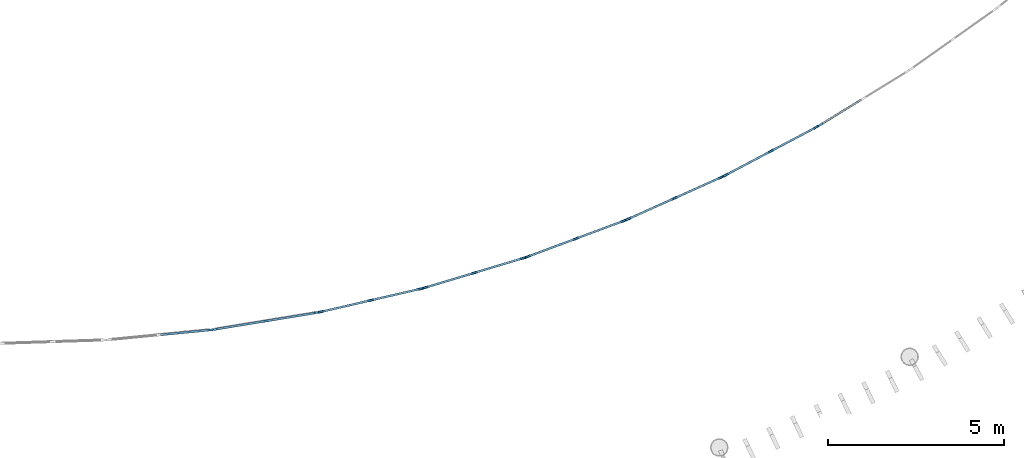
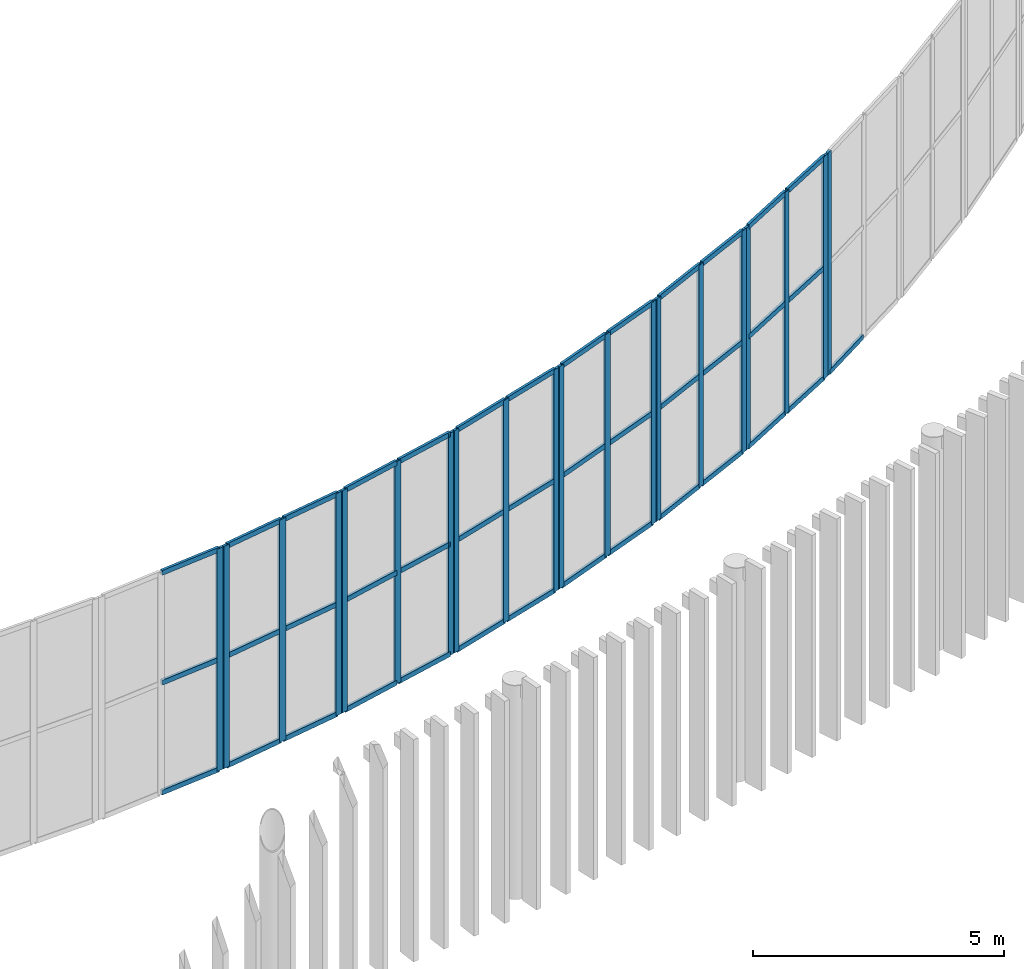
# One storey, part 39 of 170: 60 members, 8 elements without a shape of their own.
"""IFC4 building model written with IfcOpenShell, lengths in metres."""

from ifc_helpers import new_model, si_unit, direction, frame, origin, origin_2d, place, context, subcontext, project, spatial, rectangle, extrude, material, layer, layer_set, material_profile, profile_set, type_object, element, aggregate, save


model = new_model("IFC4")

# Units and contexts
model_context = context("Model", 3, precision=1e-05, world=origin(), true_north=direction((0.0, 1.0)))
body_context = subcontext(model_context, "Body", "Model", "MODEL_VIEW")
ifc_project = project(units=[si_unit("LENGTHUNIT", "METRE"), si_unit("AREAUNIT", "SQUARE_METRE"), si_unit("VOLUMEUNIT", "CUBIC_METRE"), si_unit("PLANEANGLEUNIT", "RADIAN"), si_unit("MASSUNIT", "GRAM", prefix="KILO")], contexts=[model_context])

# Site, building, storey
site_placement = place(None, origin())
site = spatial("IfcSite", under=ifc_project, at=site_placement, CompositionType="ELEMENT")
building_placement = place(site_placement, origin())
building = spatial("IfcBuilding", under=site, at=building_placement, Name="Ravi Spectrum Wholesale Market", CompositionType="ELEMENT")
storey_placement = place(building_placement, frame((0.0, 0.0, 5.39990234375)))
storey = spatial("IfcBuildingStorey", under=building, at=storey_placement, Name="L01", CompositionType="ELEMENT", Elevation=5.39990234375)

# Curtain wall, member
ifc_material_1 = material(Name="Aluminium 6063-T6", Category="aluminium")
ifc_layer = layer(ifc_material_1, 0.14990234375)
ifc_layer_set = layer_set([ifc_layer], Name="Aluminium 6063-T6")
curtain_wall_type = type_object("IfcCurtainWallType", Name="Curtain wall 150", PredefinedType="NOTDEFINED", material=ifc_layer_set)
curtain_wall_1_placement = place(storey_placement, origin())
curtain_wall_1 = element("IfcCurtainWall", 1, at=curtain_wall_1_placement, inside=storey, type_object=curtain_wall_type, Name="H1-CW-L01-042", PredefinedType="NOTDEFINED")
ifc_material_2 = material(Name="Aluminium 6063-T6", Category="aluminium")
ifc_material_profile_1 = material_profile(ifc_material_2, rectangle(XDim=0.06005859375, YDim=0.159912109375, at=origin_2d()))
ifc_profile_set_1 = profile_set([ifc_material_profile_1], Name="Aluminium 6063-T6")
member_type_1 = type_object("IfcMemberType", Name="Mullion 60 x 160", PredefinedType="MULLION", material=ifc_profile_set_1)
member_1_placement = place(storey_placement, frame((76.010498046875, 19.664794921875, 0.0), z_axis=(0.0, 0.0, 1.0), x_axis=(-0.097144203758, 0.995270316887, 0.0)))
member_1 = element("IfcMember", 2, at=member_1_placement, type_object=member_type_1, Name="H1-CW-L01-042 mullion 3", PredefinedType="MULLION", context=body_context, shape_type="SweptSolid", body=[
    extrude(rectangle(XDim=0.06005859375, YDim=0.159912109375, at=origin_2d()), origin(), (0.0, 0.0, 1.0), 5.400146484375),
])

# Curtain wall, members
curtain_wall_2_placement = place(storey_placement, origin())
curtain_wall_2 = element("IfcCurtainWall", 3, at=curtain_wall_2_placement, inside=storey, type_object=curtain_wall_type, Name="H1-CW-L01-043", PredefinedType="NOTDEFINED")
member_2_placement = place(storey_placement, frame((76.1494140625, 19.682861328125, 0.0), z_axis=(0.0, 0.0, 1.0), x_axis=(-0.161452954652, 0.986880409895, 0.0)))
member_2 = element("IfcMember", 4, at=member_2_placement, type_object=member_type_1, Name="H1-CW-L01-043 mullion 1", PredefinedType="MULLION", context=body_context, shape_type="SweptSolid", body=[
    extrude(rectangle(XDim=0.06005859375, YDim=0.159912109375, at=origin_2d()), origin(), (0.0, 0.0, 1.0), 5.400146484375),
])
member_3_placement = place(storey_placement, frame((77.584228515625, 19.917724609375, 0.0), z_axis=(0.0, 0.0, 1.0), x_axis=(-0.161452954652, 0.986880409895, 0.0)))
member_3 = element("IfcMember", 5, at=member_3_placement, type_object=member_type_1, Name="H1-CW-L01-043 mullion 2", PredefinedType="MULLION", context=body_context, shape_type="SweptSolid", body=[
    extrude(rectangle(XDim=0.06005859375, YDim=0.159912109375, at=origin_2d()), origin(), (0.0, 0.0, 1.0), 5.400146484375),
])
member_4_placement = place(storey_placement, frame((79.019287109375, 20.152587890625, 0.0), z_axis=(0.0, 0.0, 1.0), x_axis=(-0.161452954652, 0.986880409895, 0.0)))
member_4 = element("IfcMember", 6, at=member_4_placement, type_object=member_type_1, Name="H1-CW-L01-043 mullion 3", PredefinedType="MULLION", context=body_context, shape_type="SweptSolid", body=[
    extrude(rectangle(XDim=0.06005859375, YDim=0.159912109375, at=origin_2d()), origin(), (0.0, 0.0, 1.0), 5.400146484375),
])

curtain_wall_3_placement = place(storey_placement, origin())
curtain_wall_3 = element("IfcCurtainWall", 7, at=curtain_wall_3_placement, inside=storey, type_object=curtain_wall_type, Name="H1-CW-L01-044", PredefinedType="NOTDEFINED")
member_5_placement = place(storey_placement, frame((79.156494140625, 20.179443359375, 0.0), z_axis=(0.0, 0.0, 1.0), x_axis=(-0.225082633827, 0.97433967791, 0.0)))
member_5 = element("IfcMember", 8, at=member_5_placement, type_object=member_type_1, Name="H1-CW-L01-044 mullion 1", PredefinedType="MULLION", context=body_context, shape_type="SweptSolid", body=[
    extrude(rectangle(XDim=0.06005859375, YDim=0.159912109375, at=origin_2d()), origin(), (0.0, 0.0, 1.0), 5.400146484375),
])
member_6_placement = place(storey_placement, frame((80.5732421875, 20.5068359375, 0.0), z_axis=(0.0, 0.0, 1.0), x_axis=(-0.225082633827, 0.97433967791, 0.0)))
member_6 = element("IfcMember", 9, at=member_6_placement, type_object=member_type_1, Name="H1-CW-L01-044 mullion 2", PredefinedType="MULLION", context=body_context, shape_type="SweptSolid", body=[
    extrude(rectangle(XDim=0.06005859375, YDim=0.159912109375, at=origin_2d()), origin(), (0.0, 0.0, 1.0), 5.400146484375),
])
member_7_placement = place(storey_placement, frame((81.989990234375, 20.834228515625, 0.0), z_axis=(0.0, 0.0, 1.0), x_axis=(-0.225082633827, 0.97433967791, 0.0)))
member_7 = element("IfcMember", 10, at=member_7_placement, type_object=member_type_1, Name="H1-CW-L01-044 mullion 3", PredefinedType="MULLION", context=body_context, shape_type="SweptSolid", body=[
    extrude(rectangle(XDim=0.06005859375, YDim=0.159912109375, at=origin_2d()), origin(), (0.0, 0.0, 1.0), 5.400146484375),
])

curtain_wall_4_placement = place(storey_placement, origin())
curtain_wall_4 = element("IfcCurtainWall", 11, at=curtain_wall_4_placement, inside=storey, type_object=curtain_wall_type, Name="H1-CW-L01-045", PredefinedType="NOTDEFINED")
member_8_placement = place(storey_placement, frame((82.125244140625, 20.8701171875, 0.0), z_axis=(0.0, 0.0, 1.0), x_axis=(-0.287765613735, 0.957700867469, 0.0)))
member_8 = element("IfcMember", 12, at=member_8_placement, type_object=member_type_1, Name="H1-CW-L01-045 mullion 1", PredefinedType="MULLION", context=body_context, shape_type="SweptSolid", body=[
    extrude(rectangle(XDim=0.06005859375, YDim=0.159912109375, at=origin_2d()), origin(), (0.0, 0.0, 1.0), 5.400146484375),
])
member_9_placement = place(storey_placement, frame((83.517822265625, 21.288330078125, 0.0), z_axis=(0.0, 0.0, 1.0), x_axis=(-0.287765613735, 0.957700867469, 0.0)))
member_9 = element("IfcMember", 13, at=member_9_placement, type_object=member_type_1, Name="H1-CW-L01-045 mullion 2", PredefinedType="MULLION", context=body_context, shape_type="SweptSolid", body=[
    extrude(rectangle(XDim=0.06005859375, YDim=0.159912109375, at=origin_2d()), origin(), (0.0, 0.0, 1.0), 5.400146484375),
])
member_10_placement = place(storey_placement, frame((84.910400390625, 21.706787109375, 0.0), z_axis=(0.0, 0.0, 1.0), x_axis=(-0.287765613735, 0.957700867469, 0.0)))
member_10 = element("IfcMember", 14, at=member_10_placement, type_object=member_type_1, Name="H1-CW-L01-045 mullion 3", PredefinedType="MULLION", context=body_context, shape_type="SweptSolid", body=[
    extrude(rectangle(XDim=0.06005859375, YDim=0.159912109375, at=origin_2d()), origin(), (0.0, 0.0, 1.0), 5.400146484375),
])

curtain_wall_5_placement = place(storey_placement, origin())
curtain_wall_5 = element("IfcCurtainWall", 15, at=curtain_wall_5_placement, inside=storey, type_object=curtain_wall_type, Name="H1-CW-L01-046", PredefinedType="NOTDEFINED")
member_11_placement = place(storey_placement, frame((85.04296875, 21.75146484375, 0.0), z_axis=(0.0, 0.0, 1.0), x_axis=(-0.349238249734, 0.937033961456, 0.0)))
member_11 = element("IfcMember", 16, at=member_11_placement, type_object=member_type_1, Name="H1-CW-L01-046 mullion 1", PredefinedType="MULLION", context=body_context, shape_type="SweptSolid", body=[
    extrude(rectangle(XDim=0.06005859375, YDim=0.159912109375, at=origin_2d()), origin(), (0.0, 0.0, 1.0), 5.400146484375),
])
member_12_placement = place(storey_placement, frame((86.405517578125, 22.25927734375, 0.0), z_axis=(0.0, 0.0, 1.0), x_axis=(-0.349238249734, 0.937033961456, 0.0)))
member_12 = element("IfcMember", 17, at=member_12_placement, type_object=member_type_1, Name="H1-CW-L01-046 mullion 2", PredefinedType="MULLION", context=body_context, shape_type="SweptSolid", body=[
    extrude(rectangle(XDim=0.06005859375, YDim=0.159912109375, at=origin_2d()), origin(), (0.0, 0.0, 1.0), 5.400146484375),
])
member_13_placement = place(storey_placement, frame((87.76806640625, 22.76708984375, 0.0), z_axis=(0.0, 0.0, 1.0), x_axis=(-0.349238249734, 0.937033961456, 0.0)))
member_13 = element("IfcMember", 18, at=member_13_placement, type_object=member_type_1, Name="H1-CW-L01-046 mullion 3", PredefinedType="MULLION", context=body_context, shape_type="SweptSolid", body=[
    extrude(rectangle(XDim=0.06005859375, YDim=0.159912109375, at=origin_2d()), origin(), (0.0, 0.0, 1.0), 5.400146484375),
])

curtain_wall_6_placement = place(storey_placement, origin())
curtain_wall_6 = element("IfcCurtainWall", 19, at=curtain_wall_6_placement, inside=storey, type_object=curtain_wall_type, Name="H1-CW-L01-047", PredefinedType="NOTDEFINED")
member_14_placement = place(storey_placement, frame((87.8974609375, 22.820068359375, 0.0), z_axis=(0.0, 0.0, 1.0), x_axis=(-0.409241987534, 0.912425885012, 0.0)))
member_14 = element("IfcMember", 20, at=member_14_placement, type_object=member_type_1, Name="H1-CW-L01-047 mullion 1", PredefinedType="MULLION", context=body_context, shape_type="SweptSolid", body=[
    extrude(rectangle(XDim=0.06005859375, YDim=0.159912109375, at=origin_2d()), origin(), (0.0, 0.0, 1.0), 5.400146484375),
])
member_15_placement = place(storey_placement, frame((89.224365234375, 23.415283203125, 0.0), z_axis=(0.0, 0.0, 1.0), x_axis=(-0.409241987534, 0.912425885012, 0.0)))
member_15 = element("IfcMember", 21, at=member_15_placement, type_object=member_type_1, Name="H1-CW-L01-047 mullion 2", PredefinedType="MULLION", context=body_context, shape_type="SweptSolid", body=[
    extrude(rectangle(XDim=0.06005859375, YDim=0.159912109375, at=origin_2d()), origin(), (0.0, 0.0, 1.0), 5.400146484375),
])
member_16_placement = place(storey_placement, frame((90.551025390625, 24.01025390625, 0.0), z_axis=(0.0, 0.0, 1.0), x_axis=(-0.409241987534, 0.912425885012, 0.0)))
member_16 = element("IfcMember", 22, at=member_16_placement, type_object=member_type_1, Name="H1-CW-L01-047 mullion 3", PredefinedType="MULLION", context=body_context, shape_type="SweptSolid", body=[
    extrude(rectangle(XDim=0.06005859375, YDim=0.159912109375, at=origin_2d()), origin(), (0.0, 0.0, 1.0), 5.400146484375),
])

curtain_wall_7_placement = place(storey_placement, origin())
curtain_wall_7 = element("IfcCurtainWall", 23, at=curtain_wall_7_placement, inside=storey, type_object=curtain_wall_type, Name="H1-CW-L01-048", PredefinedType="NOTDEFINED")
member_17_placement = place(storey_placement, frame((90.6767578125, 24.07177734375, 0.0), z_axis=(0.0, 0.0, 1.0), x_axis=(-0.467524450919, 0.883980139931, 0.0)))
member_17 = element("IfcMember", 24, at=member_17_placement, type_object=member_type_1, Name="H1-CW-L01-048 mullion 1", PredefinedType="MULLION", context=body_context, shape_type="SweptSolid", body=[
    extrude(rectangle(XDim=0.06005859375, YDim=0.159912109375, at=origin_2d()), origin(), (0.0, 0.0, 1.0), 5.400146484375),
])
member_18_placement = place(storey_placement, frame((91.962158203125, 24.75146484375, 0.0), z_axis=(0.0, 0.0, 1.0), x_axis=(-0.467524450919, 0.883980139931, 0.0)))
member_18 = element("IfcMember", 25, at=member_18_placement, type_object=member_type_1, Name="H1-CW-L01-048 mullion 2", PredefinedType="MULLION", context=body_context, shape_type="SweptSolid", body=[
    extrude(rectangle(XDim=0.06005859375, YDim=0.159912109375, at=origin_2d()), origin(), (0.0, 0.0, 1.0), 5.400146484375),
])
member_19_placement = place(storey_placement, frame((93.24755859375, 25.431396484375, 0.0), z_axis=(0.0, 0.0, 1.0), x_axis=(-0.467524450919, 0.883980139931, 0.0)))
member_19 = element("IfcMember", 26, at=member_19_placement, type_object=member_type_1, Name="H1-CW-L01-048 mullion 3", PredefinedType="MULLION", context=body_context, shape_type="SweptSolid", body=[
    extrude(rectangle(XDim=0.06005859375, YDim=0.159912109375, at=origin_2d()), origin(), (0.0, 0.0, 1.0), 5.400146484375),
])

# Curtain wall, member
curtain_wall_8_placement = place(storey_placement, origin())
curtain_wall_8 = element("IfcCurtainWall", 27, at=curtain_wall_8_placement, inside=storey, type_object=curtain_wall_type, Name="H1-CW-L01-049", PredefinedType="NOTDEFINED")
member_20_placement = place(storey_placement, frame((93.368896484375, 25.500732421875, 0.0), z_axis=(0.0, 0.0, 1.0), x_axis=(-0.523840503785, 0.851816369057, 0.0)))
member_20 = element("IfcMember", 28, at=member_20_placement, type_object=member_type_1, Name="H1-CW-L01-049 mullion 1", PredefinedType="MULLION", context=body_context, shape_type="SweptSolid", body=[
    extrude(rectangle(XDim=0.06005859375, YDim=0.159912109375, at=origin_2d()), origin(), (0.0, 0.0, 1.0), 5.400146484375),
])

# Member
ifc_material_3 = material(Name="Aluminium 6063-T6", Category="aluminium")
ifc_material_profile_2 = material_profile(ifc_material_3, rectangle(XDim=0.06005859375, YDim=0.1201171875, at=origin_2d()))
ifc_profile_set_2 = profile_set([ifc_material_profile_2], Name="Aluminium 6063-T6")
member_type_2 = type_object("IfcMemberType", Name="Transom 60 x 120", PredefinedType="USERDEFINED", material=ifc_profile_set_2)
member_21_placement = place(storey_placement, frame((74.59326171875, 19.526611328125, 0.030029296875), z_axis=(0.995282061531, 0.097023801177, 0.0), x_axis=(-0.097023801177, 0.995282061531, 0.0)))
member_21 = element("IfcMember", 29, at=member_21_placement, type_object=member_type_2, Name="H1-CW-L01-042 transom 2.1", ObjectType="TRANSOM", PredefinedType="USERDEFINED", context=body_context, shape_type="SweptSolid", body=[
    extrude(rectangle(XDim=0.06005859375, YDim=0.1201171875, at=origin_2d()), origin(), (0.0, 0.0, 1.0), 1.39404296875),
])

member_22_placement = place(storey_placement, frame((74.59326171875, 19.526611328125, 2.7001953125), z_axis=(0.995282061531, 0.097023801177, 0.0), x_axis=(-0.097023801177, 0.995282061531, 0.0)))
member_22 = element("IfcMember", 30, at=member_22_placement, type_object=member_type_2, Name="H1-CW-L01-042 transom 2.2", ObjectType="TRANSOM", PredefinedType="USERDEFINED", context=body_context, shape_type="SweptSolid", body=[
    extrude(rectangle(XDim=0.06005859375, YDim=0.1201171875, at=origin_2d()), origin(), (0.0, 0.0, 1.0), 1.39404296875),
])

member_23_placement = place(storey_placement, frame((74.59326171875, 19.526611328125, 5.3701171875), z_axis=(0.995282061531, 0.097023801177, 0.0), x_axis=(-0.097023801177, 0.995282061531, 0.0)))
member_23 = element("IfcMember", 31, at=member_23_placement, type_object=member_type_2, Name="H1-CW-L01-042 transom 2.3", ObjectType="TRANSOM", PredefinedType="USERDEFINED", context=body_context, shape_type="SweptSolid", body=[
    extrude(rectangle(XDim=0.06005859375, YDim=0.1201171875, at=origin_2d()), origin(), (0.0, 0.0, 1.0), 1.39404296875),
])

aggregate(curtain_wall_1, [member_1, member_21, member_22, member_23])

member_24_placement = place(storey_placement, frame((76.178955078125, 19.687744140625, 0.030029296875), z_axis=(0.986877120125, 0.161473062068, 0.0), x_axis=(-0.161473062068, 0.986877120125, 0.0)))
member_24 = element("IfcMember", 32, at=member_24_placement, type_object=member_type_2, Name="H1-CW-L01-043 transom 1.1", ObjectType="TRANSOM", PredefinedType="USERDEFINED", context=body_context, shape_type="SweptSolid", body=[
    extrude(rectangle(XDim=0.06005859375, YDim=0.1201171875, at=origin_2d()), origin(), (0.0, 0.0, 1.0), 1.39404296875),
])

member_25_placement = place(storey_placement, frame((76.178955078125, 19.687744140625, 2.7001953125), z_axis=(0.986877120125, 0.161473062068, 0.0), x_axis=(-0.161473062068, 0.986877120125, 0.0)))
member_25 = element("IfcMember", 33, at=member_25_placement, type_object=member_type_2, Name="H1-CW-L01-043 transom 1.2", ObjectType="TRANSOM", PredefinedType="USERDEFINED", context=body_context, shape_type="SweptSolid", body=[
    extrude(rectangle(XDim=0.06005859375, YDim=0.1201171875, at=origin_2d()), origin(), (0.0, 0.0, 1.0), 1.39404296875),
])

member_26_placement = place(storey_placement, frame((76.178955078125, 19.687744140625, 5.3701171875), z_axis=(0.986877120125, 0.161473062068, 0.0), x_axis=(-0.161473062068, 0.986877120125, 0.0)))
member_26 = element("IfcMember", 34, at=member_26_placement, type_object=member_type_2, Name="H1-CW-L01-043 transom 1.3", ObjectType="TRANSOM", PredefinedType="USERDEFINED", context=body_context, shape_type="SweptSolid", body=[
    extrude(rectangle(XDim=0.06005859375, YDim=0.1201171875, at=origin_2d()), origin(), (0.0, 0.0, 1.0), 1.39404296875),
])

member_27_placement = place(storey_placement, frame((77.614013671875, 19.922607421875, 0.030029296875), z_axis=(0.986877120125, 0.161473062068, 0.0), x_axis=(-0.161473062068, 0.986877120125, 0.0)))
member_27 = element("IfcMember", 35, at=member_27_placement, type_object=member_type_2, Name="H1-CW-L01-043 transom 2.1", ObjectType="TRANSOM", PredefinedType="USERDEFINED", context=body_context, shape_type="SweptSolid", body=[
    extrude(rectangle(XDim=0.06005859375, YDim=0.1201171875, at=origin_2d()), origin(), (0.0, 0.0, 1.0), 1.39404296875),
])

member_28_placement = place(storey_placement, frame((77.614013671875, 19.922607421875, 2.7001953125), z_axis=(0.986877120125, 0.161473062068, 0.0), x_axis=(-0.161473062068, 0.986877120125, 0.0)))
member_28 = element("IfcMember", 36, at=member_28_placement, type_object=member_type_2, Name="H1-CW-L01-043 transom 2.2", ObjectType="TRANSOM", PredefinedType="USERDEFINED", context=body_context, shape_type="SweptSolid", body=[
    extrude(rectangle(XDim=0.06005859375, YDim=0.1201171875, at=origin_2d()), origin(), (0.0, 0.0, 1.0), 1.39404296875),
])

member_29_placement = place(storey_placement, frame((77.614013671875, 19.922607421875, 5.3701171875), z_axis=(0.986877120125, 0.161473062068, 0.0), x_axis=(-0.161473062068, 0.986877120125, 0.0)))
member_29 = element("IfcMember", 37, at=member_29_placement, type_object=member_type_2, Name="H1-CW-L01-043 transom 2.3", ObjectType="TRANSOM", PredefinedType="USERDEFINED", context=body_context, shape_type="SweptSolid", body=[
    extrude(rectangle(XDim=0.06005859375, YDim=0.1201171875, at=origin_2d()), origin(), (0.0, 0.0, 1.0), 1.39404296875),
])

aggregate(curtain_wall_2, [member_2, member_3, member_4, member_24, member_25, member_26, member_27, member_28, member_29])

member_30_placement = place(storey_placement, frame((79.185791015625, 20.186279296875, 0.030029296875), z_axis=(0.974352813106, 0.225025766506, 0.0), x_axis=(-0.225025766506, 0.974352813106, 0.0)))
member_30 = element("IfcMember", 38, at=member_30_placement, type_object=member_type_2, Name="H1-CW-L01-044 transom 1.1", ObjectType="TRANSOM", PredefinedType="USERDEFINED", context=body_context, shape_type="SweptSolid", body=[
    extrude(rectangle(XDim=0.06005859375, YDim=0.1201171875, at=origin_2d()), origin(), (0.0, 0.0, 1.0), 1.39404296875),
])

member_31_placement = place(storey_placement, frame((79.185791015625, 20.186279296875, 2.7001953125), z_axis=(0.974352813106, 0.225025766506, 0.0), x_axis=(-0.225025766506, 0.974352813106, 0.0)))
member_31 = element("IfcMember", 39, at=member_31_placement, type_object=member_type_2, Name="H1-CW-L01-044 transom 1.2", ObjectType="TRANSOM", PredefinedType="USERDEFINED", context=body_context, shape_type="SweptSolid", body=[
    extrude(rectangle(XDim=0.06005859375, YDim=0.1201171875, at=origin_2d()), origin(), (0.0, 0.0, 1.0), 1.39404296875),
])

member_32_placement = place(storey_placement, frame((79.185791015625, 20.186279296875, 5.3701171875), z_axis=(0.974352813106, 0.225025766506, 0.0), x_axis=(-0.225025766506, 0.974352813106, 0.0)))
member_32 = element("IfcMember", 40, at=member_32_placement, type_object=member_type_2, Name="H1-CW-L01-044 transom 1.3", ObjectType="TRANSOM", PredefinedType="USERDEFINED", context=body_context, shape_type="SweptSolid", body=[
    extrude(rectangle(XDim=0.06005859375, YDim=0.1201171875, at=origin_2d()), origin(), (0.0, 0.0, 1.0), 1.39404296875),
])

member_33_placement = place(storey_placement, frame((80.6025390625, 20.513671875, 0.030029296875), z_axis=(0.974352813106, 0.225025766506, 0.0), x_axis=(-0.225025766506, 0.974352813106, 0.0)))
member_33 = element("IfcMember", 41, at=member_33_placement, type_object=member_type_2, Name="H1-CW-L01-044 transom 2.1", ObjectType="TRANSOM", PredefinedType="USERDEFINED", context=body_context, shape_type="SweptSolid", body=[
    extrude(rectangle(XDim=0.06005859375, YDim=0.1201171875, at=origin_2d()), origin(), (0.0, 0.0, 1.0), 1.39404296875),
])

member_34_placement = place(storey_placement, frame((80.6025390625, 20.513671875, 2.7001953125), z_axis=(0.974352813106, 0.225025766506, 0.0), x_axis=(-0.225025766506, 0.974352813106, 0.0)))
member_34 = element("IfcMember", 42, at=member_34_placement, type_object=member_type_2, Name="H1-CW-L01-044 transom 2.2", ObjectType="TRANSOM", PredefinedType="USERDEFINED", context=body_context, shape_type="SweptSolid", body=[
    extrude(rectangle(XDim=0.06005859375, YDim=0.1201171875, at=origin_2d()), origin(), (0.0, 0.0, 1.0), 1.39404296875),
])

member_35_placement = place(storey_placement, frame((80.6025390625, 20.513671875, 5.3701171875), z_axis=(0.974352813106, 0.225025766506, 0.0), x_axis=(-0.225025766506, 0.974352813106, 0.0)))
member_35 = element("IfcMember", 43, at=member_35_placement, type_object=member_type_2, Name="H1-CW-L01-044 transom 2.3", ObjectType="TRANSOM", PredefinedType="USERDEFINED", context=body_context, shape_type="SweptSolid", body=[
    extrude(rectangle(XDim=0.06005859375, YDim=0.1201171875, at=origin_2d()), origin(), (0.0, 0.0, 1.0), 1.39404296875),
])

aggregate(curtain_wall_3, [member_5, member_6, member_7, member_30, member_31, member_32, member_33, member_34, member_35])

member_36_placement = place(storey_placement, frame((82.154052734375, 20.878662109375, 0.030029296875), z_axis=(0.957715360008, 0.287717377307, 0.0), x_axis=(-0.287717377307, 0.957715360008, 0.0)))
member_36 = element("IfcMember", 44, at=member_36_placement, type_object=member_type_2, Name="H1-CW-L01-045 transom 1.1", ObjectType="TRANSOM", PredefinedType="USERDEFINED", context=body_context, shape_type="SweptSolid", body=[
    extrude(rectangle(XDim=0.06005859375, YDim=0.1201171875, at=origin_2d()), origin(), (0.0, 0.0, 1.0), 1.39404296875),
])

member_37_placement = place(storey_placement, frame((82.154052734375, 20.878662109375, 2.7001953125), z_axis=(0.957715360008, 0.287717377307, 0.0), x_axis=(-0.287717377307, 0.957715360008, 0.0)))
member_37 = element("IfcMember", 45, at=member_37_placement, type_object=member_type_2, Name="H1-CW-L01-045 transom 1.2", ObjectType="TRANSOM", PredefinedType="USERDEFINED", context=body_context, shape_type="SweptSolid", body=[
    extrude(rectangle(XDim=0.06005859375, YDim=0.1201171875, at=origin_2d()), origin(), (0.0, 0.0, 1.0), 1.39404296875),
])

member_38_placement = place(storey_placement, frame((82.154052734375, 20.878662109375, 5.3701171875), z_axis=(0.957715360008, 0.287717377307, 0.0), x_axis=(-0.287717377307, 0.957715360008, 0.0)))
member_38 = element("IfcMember", 46, at=member_38_placement, type_object=member_type_2, Name="H1-CW-L01-045 transom 1.3", ObjectType="TRANSOM", PredefinedType="USERDEFINED", context=body_context, shape_type="SweptSolid", body=[
    extrude(rectangle(XDim=0.06005859375, YDim=0.1201171875, at=origin_2d()), origin(), (0.0, 0.0, 1.0), 1.39404296875),
])

member_39_placement = place(storey_placement, frame((83.546630859375, 21.297119140625, 0.030029296875), z_axis=(0.957700859942, 0.287765638787, 0.0), x_axis=(-0.287765638787, 0.957700859942, 0.0)))
member_39 = element("IfcMember", 47, at=member_39_placement, type_object=member_type_2, Name="H1-CW-L01-045 transom 2.1", ObjectType="TRANSOM", PredefinedType="USERDEFINED", context=body_context, shape_type="SweptSolid", body=[
    extrude(rectangle(XDim=0.06005859375, YDim=0.1201171875, at=origin_2d()), origin(), (0.0, 0.0, 1.0), 1.39404296875),
])

member_40_placement = place(storey_placement, frame((83.546630859375, 21.297119140625, 2.7001953125), z_axis=(0.957700859942, 0.287765638787, 0.0), x_axis=(-0.287765638787, 0.957700859942, 0.0)))
member_40 = element("IfcMember", 48, at=member_40_placement, type_object=member_type_2, Name="H1-CW-L01-045 transom 2.2", ObjectType="TRANSOM", PredefinedType="USERDEFINED", context=body_context, shape_type="SweptSolid", body=[
    extrude(rectangle(XDim=0.06005859375, YDim=0.1201171875, at=origin_2d()), origin(), (0.0, 0.0, 1.0), 1.39404296875),
])

member_41_placement = place(storey_placement, frame((83.546630859375, 21.297119140625, 5.3701171875), z_axis=(0.957700859942, 0.287765638787, 0.0), x_axis=(-0.287765638787, 0.957700859942, 0.0)))
member_41 = element("IfcMember", 49, at=member_41_placement, type_object=member_type_2, Name="H1-CW-L01-045 transom 2.3", ObjectType="TRANSOM", PredefinedType="USERDEFINED", context=body_context, shape_type="SweptSolid", body=[
    extrude(rectangle(XDim=0.06005859375, YDim=0.1201171875, at=origin_2d()), origin(), (0.0, 0.0, 1.0), 1.39404296875),
])

aggregate(curtain_wall_4, [member_8, member_9, member_10, member_36, member_37, member_38, member_39, member_40, member_41])

member_42_placement = place(storey_placement, frame((85.0712890625, 21.761962890625, 0.030029296875), z_axis=(0.937032671846, 0.349241709843, 0.0), x_axis=(-0.349241709843, 0.937032671846, 0.0)))
member_42 = element("IfcMember", 50, at=member_42_placement, type_object=member_type_2, Name="H1-CW-L01-046 transom 1.1", ObjectType="TRANSOM", PredefinedType="USERDEFINED", context=body_context, shape_type="SweptSolid", body=[
    extrude(rectangle(XDim=0.06005859375, YDim=0.1201171875, at=origin_2d()), origin(), (0.0, 0.0, 1.0), 1.39404296875),
])

member_43_placement = place(storey_placement, frame((85.0712890625, 21.761962890625, 2.7001953125), z_axis=(0.937032671846, 0.349241709843, 0.0), x_axis=(-0.349241709843, 0.937032671846, 0.0)))
member_43 = element("IfcMember", 51, at=member_43_placement, type_object=member_type_2, Name="H1-CW-L01-046 transom 1.2", ObjectType="TRANSOM", PredefinedType="USERDEFINED", context=body_context, shape_type="SweptSolid", body=[
    extrude(rectangle(XDim=0.06005859375, YDim=0.1201171875, at=origin_2d()), origin(), (0.0, 0.0, 1.0), 1.39404296875),
])

member_44_placement = place(storey_placement, frame((85.0712890625, 21.761962890625, 5.3701171875), z_axis=(0.937032671846, 0.349241709843, 0.0), x_axis=(-0.349241709843, 0.937032671846, 0.0)))
member_44 = element("IfcMember", 52, at=member_44_placement, type_object=member_type_2, Name="H1-CW-L01-046 transom 1.3", ObjectType="TRANSOM", PredefinedType="USERDEFINED", context=body_context, shape_type="SweptSolid", body=[
    extrude(rectangle(XDim=0.06005859375, YDim=0.1201171875, at=origin_2d()), origin(), (0.0, 0.0, 1.0), 1.39404296875),
])

member_45_placement = place(storey_placement, frame((86.43359375, 22.269775390625, 0.030029296875), z_axis=(0.937054029141, 0.349184401814, 0.0), x_axis=(-0.349184401814, 0.937054029141, 0.0)))
member_45 = element("IfcMember", 53, at=member_45_placement, type_object=member_type_2, Name="H1-CW-L01-046 transom 2.1", ObjectType="TRANSOM", PredefinedType="USERDEFINED", context=body_context, shape_type="SweptSolid", body=[
    extrude(rectangle(XDim=0.06005859375, YDim=0.1201171875, at=origin_2d()), origin(), (0.0, 0.0, 1.0), 1.39404296875),
])

member_46_placement = place(storey_placement, frame((86.43359375, 22.269775390625, 2.7001953125), z_axis=(0.937054029141, 0.349184401814, 0.0), x_axis=(-0.349184401814, 0.937054029141, 0.0)))
member_46 = element("IfcMember", 54, at=member_46_placement, type_object=member_type_2, Name="H1-CW-L01-046 transom 2.2", ObjectType="TRANSOM", PredefinedType="USERDEFINED", context=body_context, shape_type="SweptSolid", body=[
    extrude(rectangle(XDim=0.06005859375, YDim=0.1201171875, at=origin_2d()), origin(), (0.0, 0.0, 1.0), 1.39404296875),
])

member_47_placement = place(storey_placement, frame((86.43359375, 22.269775390625, 5.3701171875), z_axis=(0.937054029141, 0.349184401814, 0.0), x_axis=(-0.349184401814, 0.937054029141, 0.0)))
member_47 = element("IfcMember", 55, at=member_47_placement, type_object=member_type_2, Name="H1-CW-L01-046 transom 2.3", ObjectType="TRANSOM", PredefinedType="USERDEFINED", context=body_context, shape_type="SweptSolid", body=[
    extrude(rectangle(XDim=0.06005859375, YDim=0.1201171875, at=origin_2d()), origin(), (0.0, 0.0, 1.0), 1.39404296875),
])

aggregate(curtain_wall_5, [member_11, member_12, member_13, member_42, member_43, member_44, member_45, member_46, member_47])

member_48_placement = place(storey_placement, frame((87.9248046875, 22.83251953125, 0.030029296875), z_axis=(0.912412372098, 0.409272113933, 0.0), x_axis=(-0.409272113933, 0.912412372098, 0.0)))
member_48 = element("IfcMember", 56, at=member_48_placement, type_object=member_type_2, Name="H1-CW-L01-047 transom 1.1", ObjectType="TRANSOM", PredefinedType="USERDEFINED", context=body_context, shape_type="SweptSolid", body=[
    extrude(rectangle(XDim=0.06005859375, YDim=0.1201171875, at=origin_2d()), origin(), (0.0, 0.0, 1.0), 1.39404296875),
])

member_49_placement = place(storey_placement, frame((87.9248046875, 22.83251953125, 2.7001953125), z_axis=(0.912412372098, 0.409272113933, 0.0), x_axis=(-0.409272113933, 0.912412372098, 0.0)))
member_49 = element("IfcMember", 57, at=member_49_placement, type_object=member_type_2, Name="H1-CW-L01-047 transom 1.2", ObjectType="TRANSOM", PredefinedType="USERDEFINED", context=body_context, shape_type="SweptSolid", body=[
    extrude(rectangle(XDim=0.06005859375, YDim=0.1201171875, at=origin_2d()), origin(), (0.0, 0.0, 1.0), 1.39404296875),
])

member_50_placement = place(storey_placement, frame((87.9248046875, 22.83251953125, 5.3701171875), z_axis=(0.912412372098, 0.409272113933, 0.0), x_axis=(-0.409272113933, 0.912412372098, 0.0)))
member_50 = element("IfcMember", 58, at=member_50_placement, type_object=member_type_2, Name="H1-CW-L01-047 transom 1.3", ObjectType="TRANSOM", PredefinedType="USERDEFINED", context=body_context, shape_type="SweptSolid", body=[
    extrude(rectangle(XDim=0.06005859375, YDim=0.1201171875, at=origin_2d()), origin(), (0.0, 0.0, 1.0), 1.39404296875),
])

member_51_placement = place(storey_placement, frame((89.251708984375, 23.427490234375, 0.030029296875), z_axis=(0.912412372098, 0.409272113933, 0.0), x_axis=(-0.409272113933, 0.912412372098, 0.0)))
member_51 = element("IfcMember", 59, at=member_51_placement, type_object=member_type_2, Name="H1-CW-L01-047 transom 2.1", ObjectType="TRANSOM", PredefinedType="USERDEFINED", context=body_context, shape_type="SweptSolid", body=[
    extrude(rectangle(XDim=0.06005859375, YDim=0.1201171875, at=origin_2d()), origin(), (0.0, 0.0, 1.0), 1.39404296875),
])

member_52_placement = place(storey_placement, frame((89.251708984375, 23.427490234375, 2.7001953125), z_axis=(0.912412372098, 0.409272113933, 0.0), x_axis=(-0.409272113933, 0.912412372098, 0.0)))
member_52 = element("IfcMember", 60, at=member_52_placement, type_object=member_type_2, Name="H1-CW-L01-047 transom 2.2", ObjectType="TRANSOM", PredefinedType="USERDEFINED", context=body_context, shape_type="SweptSolid", body=[
    extrude(rectangle(XDim=0.06005859375, YDim=0.1201171875, at=origin_2d()), origin(), (0.0, 0.0, 1.0), 1.39404296875),
])

member_53_placement = place(storey_placement, frame((89.251708984375, 23.427490234375, 5.3701171875), z_axis=(0.912412372098, 0.409272113933, 0.0), x_axis=(-0.409272113933, 0.912412372098, 0.0)))
member_53 = element("IfcMember", 61, at=member_53_placement, type_object=member_type_2, Name="H1-CW-L01-047 transom 2.3", ObjectType="TRANSOM", PredefinedType="USERDEFINED", context=body_context, shape_type="SweptSolid", body=[
    extrude(rectangle(XDim=0.06005859375, YDim=0.1201171875, at=origin_2d()), origin(), (0.0, 0.0, 1.0), 1.39404296875),
])

aggregate(curtain_wall_6, [member_14, member_15, member_16, member_48, member_49, member_50, member_51, member_52, member_53])

member_54_placement = place(storey_placement, frame((90.703369140625, 24.085693359375, 0.030029296875), z_axis=(0.883928461308, 0.467622150127, 0.0), x_axis=(-0.467622150127, 0.883928461308, 0.0)))
member_54 = element("IfcMember", 62, at=member_54_placement, type_object=member_type_2, Name="H1-CW-L01-048 transom 1.1", ObjectType="TRANSOM", PredefinedType="USERDEFINED", context=body_context, shape_type="SweptSolid", body=[
    extrude(rectangle(XDim=0.06005859375, YDim=0.1201171875, at=origin_2d()), origin(), (0.0, 0.0, 1.0), 1.39404296875),
])

member_55_placement = place(storey_placement, frame((90.703369140625, 24.085693359375, 2.7001953125), z_axis=(0.883928461308, 0.467622150127, 0.0), x_axis=(-0.467622150127, 0.883928461308, 0.0)))
member_55 = element("IfcMember", 63, at=member_55_placement, type_object=member_type_2, Name="H1-CW-L01-048 transom 1.2", ObjectType="TRANSOM", PredefinedType="USERDEFINED", context=body_context, shape_type="SweptSolid", body=[
    extrude(rectangle(XDim=0.06005859375, YDim=0.1201171875, at=origin_2d()), origin(), (0.0, 0.0, 1.0), 1.39404296875),
])

member_56_placement = place(storey_placement, frame((90.703369140625, 24.085693359375, 5.3701171875), z_axis=(0.883928461308, 0.467622150127, 0.0), x_axis=(-0.467622150127, 0.883928461308, 0.0)))
member_56 = element("IfcMember", 64, at=member_56_placement, type_object=member_type_2, Name="H1-CW-L01-048 transom 1.3", ObjectType="TRANSOM", PredefinedType="USERDEFINED", context=body_context, shape_type="SweptSolid", body=[
    extrude(rectangle(XDim=0.06005859375, YDim=0.1201171875, at=origin_2d()), origin(), (0.0, 0.0, 1.0), 1.39404296875),
])

member_57_placement = place(storey_placement, frame((91.988525390625, 24.765625, 0.030029296875), z_axis=(0.884039119192, 0.467412917813, 0.0), x_axis=(-0.467412917813, 0.884039119192, 0.0)))
member_57 = element("IfcMember", 65, at=member_57_placement, type_object=member_type_2, Name="H1-CW-L01-048 transom 2.1", ObjectType="TRANSOM", PredefinedType="USERDEFINED", context=body_context, shape_type="SweptSolid", body=[
    extrude(rectangle(XDim=0.06005859375, YDim=0.1201171875, at=origin_2d()), origin(), (0.0, 0.0, 1.0), 1.39404296875),
])

member_58_placement = place(storey_placement, frame((91.988525390625, 24.765625, 2.7001953125), z_axis=(0.884039119192, 0.467412917813, 0.0), x_axis=(-0.467412917813, 0.884039119192, 0.0)))
member_58 = element("IfcMember", 66, at=member_58_placement, type_object=member_type_2, Name="H1-CW-L01-048 transom 2.2", ObjectType="TRANSOM", PredefinedType="USERDEFINED", context=body_context, shape_type="SweptSolid", body=[
    extrude(rectangle(XDim=0.06005859375, YDim=0.1201171875, at=origin_2d()), origin(), (0.0, 0.0, 1.0), 1.39404296875),
])

member_59_placement = place(storey_placement, frame((91.988525390625, 24.765625, 5.3701171875), z_axis=(0.884039119192, 0.467412917813, 0.0), x_axis=(-0.467412917813, 0.884039119192, 0.0)))
member_59 = element("IfcMember", 67, at=member_59_placement, type_object=member_type_2, Name="H1-CW-L01-048 transom 2.3", ObjectType="TRANSOM", PredefinedType="USERDEFINED", context=body_context, shape_type="SweptSolid", body=[
    extrude(rectangle(XDim=0.06005859375, YDim=0.1201171875, at=origin_2d()), origin(), (0.0, 0.0, 1.0), 1.39404296875),
])

aggregate(curtain_wall_7, [member_17, member_18, member_19, member_54, member_55, member_56, member_57, member_58, member_59])

member_60_placement = place(storey_placement, frame((93.39453125, 25.516357421875, 0.030029296875), z_axis=(0.851832648, 0.523814031696, 0.0), x_axis=(-0.523814031696, 0.851832648, 0.0)))
member_60 = element("IfcMember", 68, at=member_60_placement, type_object=member_type_2, Name="H1-CW-L01-049 transom 1.1", ObjectType="TRANSOM", PredefinedType="USERDEFINED", context=body_context, shape_type="SweptSolid", body=[
    extrude(rectangle(XDim=0.06005859375, YDim=0.1201171875, at=origin_2d()), origin(), (0.0, 0.0, 1.0), 1.39404296875),
])

aggregate(curtain_wall_8, [member_20, member_60])

save(model, "model.ifc")
